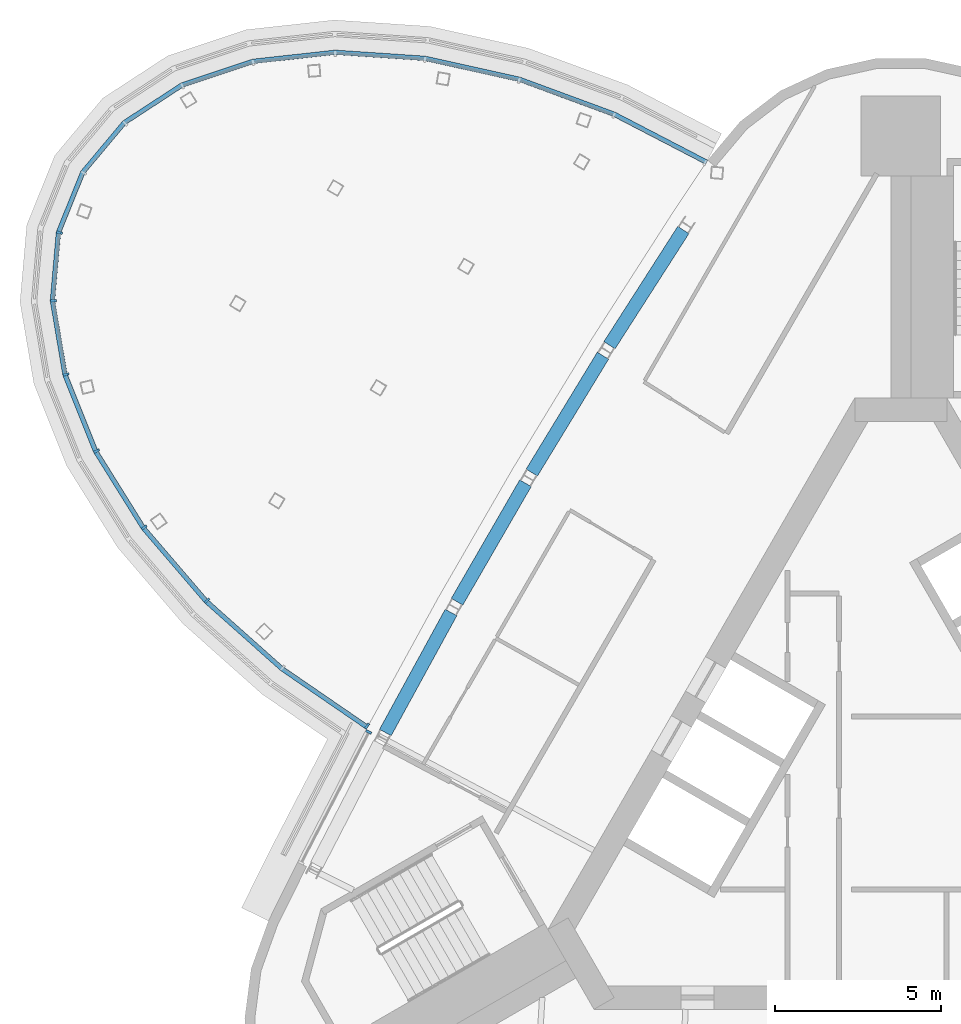
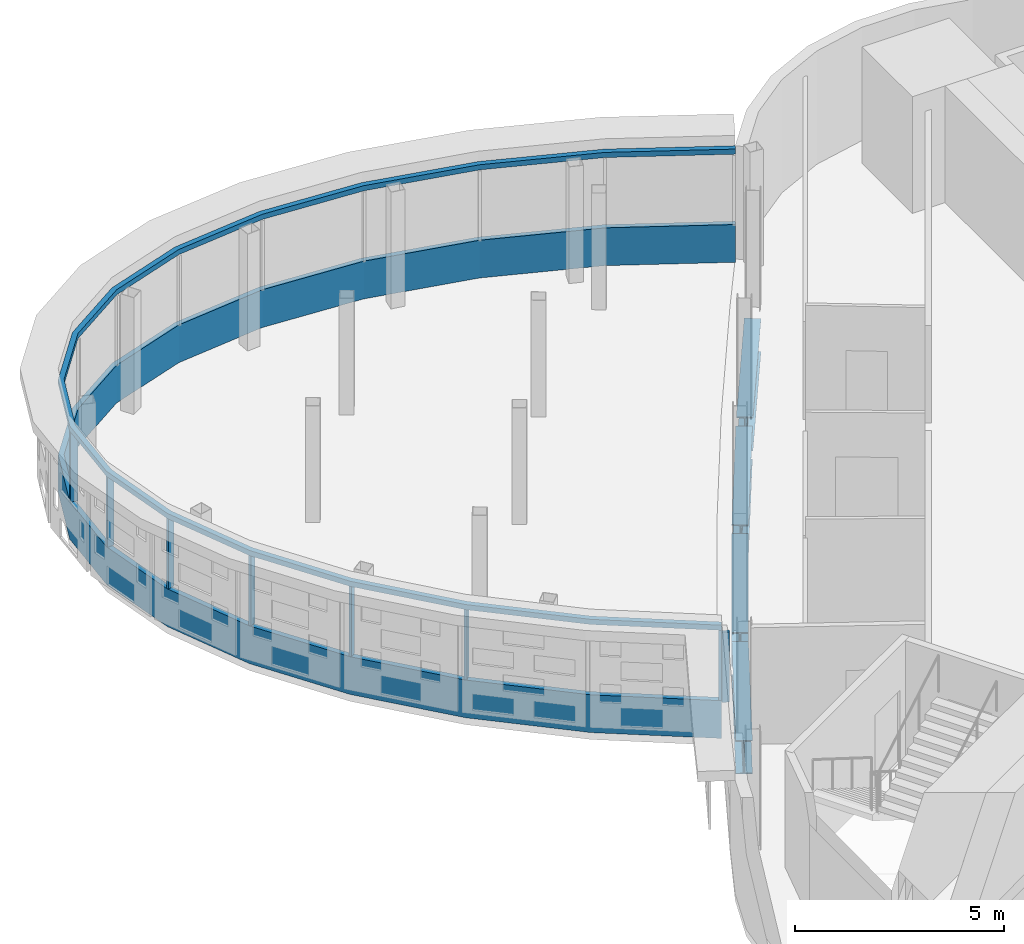
# One storey, part 5 of 13: 10 members, 4 beams, 2 elements without a shape of their own.
"""IFC4 building model written with IfcOpenShell, lengths in metres."""

from ifc_helpers import new_model, si_unit, direction, frame, origin, origin_2d, place, context, subcontext, project, spatial, polyline, rectangle, i_section, outline, extrude, material, material_profile, profile_set, type_object, element, aggregate, save


model = new_model("IFC4")

# Units and contexts
model_context = context("Model", 3, precision=1e-05, world=origin(), true_north=direction((0.0, 1.0)))
body_context = subcontext(model_context, "Body", "Model", "MODEL_VIEW")
ifc_project = project(units=[si_unit("LENGTHUNIT", "METRE"), si_unit("AREAUNIT", "SQUARE_METRE"), si_unit("VOLUMEUNIT", "CUBIC_METRE"), si_unit("PLANEANGLEUNIT", "RADIAN"), si_unit("MASSUNIT", "GRAM", prefix="KILO")], contexts=[model_context])

# Site, building, storey
site_placement = place(None, origin())
site = spatial("IfcSite", under=ifc_project, at=site_placement, CompositionType="ELEMENT")
building_placement = place(site_placement, origin())
building = spatial("IfcBuilding", under=site, at=building_placement, Name="Noor Cloister Tower", CompositionType="ELEMENT")
storey_placement = place(building_placement, frame((0.0, 0.0, 263.39990234375)))
storey = spatial("IfcBuildingStorey", under=building, at=storey_placement, Name="L67", CompositionType="ELEMENT", Elevation=263.39990234375)

# Beams
ifc_material_1 = material(Name="Steel ASTM A992 Gr 50", Category="steel")
ifc_material_profile_1 = material_profile(ifc_material_1, i_section(OverallWidth=0.40087890625, OverallDepth=0.98291015625, WebThickness=0.0166015625, FlangeThickness=0.027099609375, FilletRadius=0.030029296875, at=origin_2d()), Name="W1000x296")
ifc_profile_set_1 = profile_set([ifc_material_profile_1], Name="Steel ASTM A992 Gr 50")
beam_type = type_object("IfcBeamType", Name="Belt chord girder W1000x296", PredefinedType="BEAM", material=ifc_profile_set_1)
for number, where, z_axis, x_axis, name in (
    (1, (-6.541748046875, 16.50927734375, -0.69140625), (-0.539635932385, -0.841898485851, 0.0), (0.841898485851, -0.539635932385, 0.0), "Spandrel beam NW 01 L67"),
    (2, (-8.95947265625, 12.729248046875, -0.69140625), (-0.51992813058, -0.85421000874, 0.0), (0.85421000874, -0.51992813058, 0.0), "Spandrel beam NW 02 L67"),
    (3, (-11.288818359375, 8.89404296875, -0.69140625), (-0.500004836318, -0.866022611517, 0.0), (0.866022611517, -0.500004836318, 0.0), "Spandrel beam NW 03 L67"),
    (4, (-13.52880859375, 5.006103515625, -0.69140625), (-0.479770251557, -0.87739415642, 0.0), (0.87739415642, -0.479770251557, 0.0), "Spandrel beam NW 04 L67"),
):
    element("IfcBeam", number, at=place(storey_placement, frame(where, z_axis=z_axis, x_axis=x_axis)), inside=storey, type_object=beam_type, Name=name, PredefinedType="BEAM", context=body_context, shape_type="SweptSolid", body=[
        extrude(i_section(OverallWidth=0.40087890625, OverallDepth=0.98291015625, WebThickness=0.0166015625, FlangeThickness=0.027099609375, FilletRadius=0.030029296875, at=origin_2d()), origin(), (0.0, 0.0, 1.0), 4.1162109375),
    ])

# Curtain wall, member
ifc_material_2 = material(Name="Aluminium 6063-T6 anodised", Category="aluminium")
curtain_wall_type_1 = type_object("IfcCurtainWallType", Name="Sky bar curtain wall, upper bars CW6", PredefinedType="NOTDEFINED", material=ifc_material_2)
curtain_wall_1_placement = place(storey_placement, origin())
curtain_wall_1 = element("IfcCurtainWall", 5, at=curtain_wall_1_placement, inside=storey, type_object=curtain_wall_type_1, Name="CW6 L67 NW sky bar run 1", PredefinedType="NOTDEFINED")
ifc_material_3 = material(Name="Aluminium 6063-T6 anodised", Category="aluminium")
member_type_1 = type_object("IfcMemberType", Name="Head transom CW6 150", PredefinedType="USERDEFINED", material=ifc_material_3)
member_1_placement = place(storey_placement, frame((0.0, 0.0, 3.150146484375)))
member_1 = element("IfcMember", 6, at=member_1_placement, type_object=member_type_1, Name="CW6 head transom", ObjectType="TRANSOM", PredefinedType="USERDEFINED", context=body_context, shape_type="SweptSolid", body=[
    extrude(outline(polyline([(-5.809814453125, 18.609619140625), (-8.585205078125, 20.05078125), (-11.451416015625, 21.107421875), (-14.298095703125, 21.7392578125), (-17.015869140625, 21.921875), (-19.500244140625, 21.6484375), (-21.65576171875, 20.928955078125), (-23.399658203125, 19.79150390625), (-24.6650390625, 18.27978515625), (-25.403076171875, 16.45166015625), (-25.58544921875, 14.377685546875), (-25.205078125, 12.13720703125), (-24.276611328125, 9.816650390625), (-22.8359375, 7.5048828125), (-20.938232421875, 5.291015625), (-18.65625, 3.260009765625), (-16.078125, 1.489990234375), (-15.9990234375, 1.60546875), (-18.56982421875, 3.37060546875), (-20.838134765625, 5.389404296875), (-22.72265625, 7.588134765625), (-24.1513671875, 9.880126953125), (-25.069580078125, 12.17529296875), (-25.4443359375, 14.38330078125), (-25.265380859375, 16.418701171875), (-24.54345703125, 18.206787109375), (-23.305908203125, 19.685791015625), (-21.594482421875, 20.802001953125), (-19.469970703125, 21.5107421875), (-17.012939453125, 21.781494140625), (-14.318115234375, 21.600341796875), (-11.490966796875, 20.972900390625), (-8.64208984375, 19.92236328125), (-5.874267578125, 18.4853515625), (-5.809814453125, 18.609619140625)])), origin(), (0.0, 0.0, 1.0), 0.14990234375),
])

ifc_material_4 = material(Name="Aluminium 6063-T6 anodised", Category="aluminium")
curtain_wall_type_2 = type_object("IfcCurtainWallType", Name="Ribbon curtain wall, upper tower CW5", PredefinedType="NOTDEFINED", material=ifc_material_4)
curtain_wall_2_placement = place(storey_placement, origin())
curtain_wall_2 = element("IfcCurtainWall", 7, at=curtain_wall_2_placement, inside=storey, type_object=curtain_wall_type_2, Name="CW5 L67 NW run 2", PredefinedType="NOTDEFINED")
ifc_material_5 = material(Name="Aluminium 6063-T6 anodised", Category="aluminium")
ifc_material_profile_2 = material_profile(ifc_material_5, rectangle(XDim=0.179931640625, YDim=0.070068359375, at=origin_2d()), Name="180 x 70 mullion")
ifc_profile_set_2 = profile_set([ifc_material_profile_2], Name="Aluminium 6063-T6 anodised")
member_type_2 = type_object("IfcMemberType", Name="Mullion CW5 70 x 180", PredefinedType="MULLION", material=ifc_profile_set_2)
member_2_placement = place(storey_placement, frame((-16.00537109375, 1.4130859375, 1.10009765625), z_axis=(0.0, 0.0, 1.0), x_axis=(0.888277980529, -0.459306247842, 0.0)))
member_2 = element("IfcMember", 8, at=member_2_placement, type_object=member_type_2, Name="CW5 mullion 1", PredefinedType="MULLION", context=body_context, shape_type="SweptSolid", body=[
    extrude(rectangle(XDim=0.179931640625, YDim=0.070068359375, at=origin_2d()), origin(), (0.0, 0.0, 1.0), 2.050048828125),
])
aggregate(curtain_wall_2, [member_2])

# Member
ifc_material_6 = material(Name="Aluminium 6063-T6 anodised", Category="aluminium")
ifc_material_profile_3 = material_profile(ifc_material_6, rectangle(XDim=0.179931640625, YDim=0.070068359375, at=origin_2d()), Name="180 x 70 mullion")
ifc_profile_set_3 = profile_set([ifc_material_profile_3], Name="Aluminium 6063-T6 anodised")
member_type_3 = type_object("IfcMemberType", Name="Mullion CW6 70 x 180", PredefinedType="MULLION", material=ifc_profile_set_3)
member_3_placement = place(storey_placement, frame((-25.3046875, 16.42822265625, 1.10009765625), z_axis=(0.0, 0.0, 1.0), x_axis=(0.972354362217, -0.233510158832, 0.0)))
member_3 = element("IfcMember", 9, at=member_3_placement, type_object=member_type_3, Name="CW6 mullion 10", PredefinedType="MULLION", context=body_context, shape_type="SweptSolid", body=[
    extrude(rectangle(XDim=0.179931640625, YDim=0.070068359375, at=origin_2d()), origin(), (0.0, 0.0, 1.0), 2.050048828125),
])

member_4_placement = place(storey_placement, frame((-25.484619140625, 14.381591796875, 1.10009765625), z_axis=(0.0, 0.0, 1.0), x_axis=(0.999190597813, 0.040226225795, 0.0)))
member_4 = element("IfcMember", 10, at=member_4_placement, type_object=member_type_3, Name="CW6 mullion 11", PredefinedType="MULLION", context=body_context, shape_type="SweptSolid", body=[
    extrude(rectangle(XDim=0.179931640625, YDim=0.070068359375, at=origin_2d()), origin(), (0.0, 0.0, 1.0), 2.050048828125),
])

member_5_placement = place(storey_placement, frame((-25.108154296875, 12.16455078125, 1.10009765625), z_axis=(0.0, 0.0, 1.0), x_axis=(0.962599996662, 0.270926643995, 0.0)))
member_5 = element("IfcMember", 11, at=member_5_placement, type_object=member_type_3, Name="CW6 mullion 12", PredefinedType="MULLION", context=body_context, shape_type="SweptSolid", body=[
    extrude(rectangle(XDim=0.179931640625, YDim=0.070068359375, at=origin_2d()), origin(), (0.0, 0.0, 1.0), 2.050048828125),
])

member_6_placement = place(storey_placement, frame((-24.18701171875, 9.862060546875, 1.10009765625), z_axis=(0.0, 0.0, 1.0), x_axis=(0.892044508873, 0.451947556902, 0.0)))
member_6 = element("IfcMember", 12, at=member_6_placement, type_object=member_type_3, Name="CW6 mullion 13", PredefinedType="MULLION", context=body_context, shape_type="SweptSolid", body=[
    extrude(rectangle(XDim=0.179931640625, YDim=0.070068359375, at=origin_2d()), origin(), (0.0, 0.0, 1.0), 2.050048828125),
])

member_7_placement = place(storey_placement, frame((-22.755126953125, 7.564208984375, 1.10009765625), z_axis=(0.0, 0.0, 1.0), x_axis=(0.806254638187, 0.591568642173, 0.0)))
member_7 = element("IfcMember", 13, at=member_7_placement, type_object=member_type_3, Name="CW6 mullion 14", PredefinedType="MULLION", context=body_context, shape_type="SweptSolid", body=[
    extrude(rectangle(XDim=0.179931640625, YDim=0.070068359375, at=origin_2d()), origin(), (0.0, 0.0, 1.0), 2.050048828125),
])

member_8_placement = place(storey_placement, frame((-20.86669921875, 5.361328125, 1.10009765625), z_axis=(0.0, 0.0, 1.0), x_axis=(0.713665786899, 0.700486362901, 0.0)))
member_8 = element("IfcMember", 14, at=member_8_placement, type_object=member_type_3, Name="CW6 mullion 15", PredefinedType="MULLION", context=body_context, shape_type="SweptSolid", body=[
    extrude(rectangle(XDim=0.179931640625, YDim=0.070068359375, at=origin_2d()), origin(), (0.0, 0.0, 1.0), 2.050048828125),
])

member_9_placement = place(storey_placement, frame((-16.05029296875, 1.59228515625, 1.10009765625), z_axis=(0.0, 0.0, 1.0), x_axis=(0.565996619473, 0.824407561067, 0.0)))
member_9 = element("IfcMember", 15, at=member_9_placement, type_object=member_type_3, Name="CW6 mullion 17", PredefinedType="MULLION", context=body_context, shape_type="SweptSolid", body=[
    extrude(rectangle(XDim=0.179931640625, YDim=0.070068359375, at=origin_2d()), origin(), (0.0, 0.0, 1.0), 2.050048828125),
])

ifc_material_7 = material(Name="Aluminium 6063-T6 anodised", Category="aluminium")
member_type_4 = type_object("IfcMemberType", Name="Sill transom CW6 1100", PredefinedType="USERDEFINED", material=ifc_material_7)
member_10_placement = place(storey_placement, origin())
member_10 = element("IfcMember", 16, at=member_10_placement, type_object=member_type_4, Name="CW6 sill transom", ObjectType="TRANSOM", PredefinedType="USERDEFINED", context=body_context, shape_type="SweptSolid", body=[
    extrude(outline(polyline([(-5.809814453125, 18.609619140625), (-8.585205078125, 20.05078125), (-11.451416015625, 21.107421875), (-14.298095703125, 21.7392578125), (-17.015869140625, 21.921875), (-19.500244140625, 21.6484375), (-21.65576171875, 20.928955078125), (-23.399658203125, 19.79150390625), (-24.6650390625, 18.27978515625), (-25.403076171875, 16.45166015625), (-25.58544921875, 14.377685546875), (-25.205078125, 12.13720703125), (-24.276611328125, 9.816650390625), (-22.8359375, 7.5048828125), (-20.938232421875, 5.291015625), (-18.65625, 3.260009765625), (-16.078125, 1.489990234375), (-15.9990234375, 1.60546875), (-18.56982421875, 3.37060546875), (-20.838134765625, 5.389404296875), (-22.72265625, 7.588134765625), (-24.1513671875, 9.880126953125), (-25.069580078125, 12.17529296875), (-25.4443359375, 14.38330078125), (-25.265380859375, 16.418701171875), (-24.54345703125, 18.206787109375), (-23.305908203125, 19.685791015625), (-21.594482421875, 20.802001953125), (-19.469970703125, 21.5107421875), (-17.012939453125, 21.781494140625), (-14.318115234375, 21.600341796875), (-11.490966796875, 20.972900390625), (-8.64208984375, 19.92236328125), (-5.874267578125, 18.4853515625), (-5.809814453125, 18.609619140625)])), origin(), (0.0, 0.0, 1.0), 1.10009765625),
])

aggregate(curtain_wall_1, [member_3, member_4, member_5, member_6, member_7, member_8, member_9, member_10, member_1])

save(model, "model.ifc")
